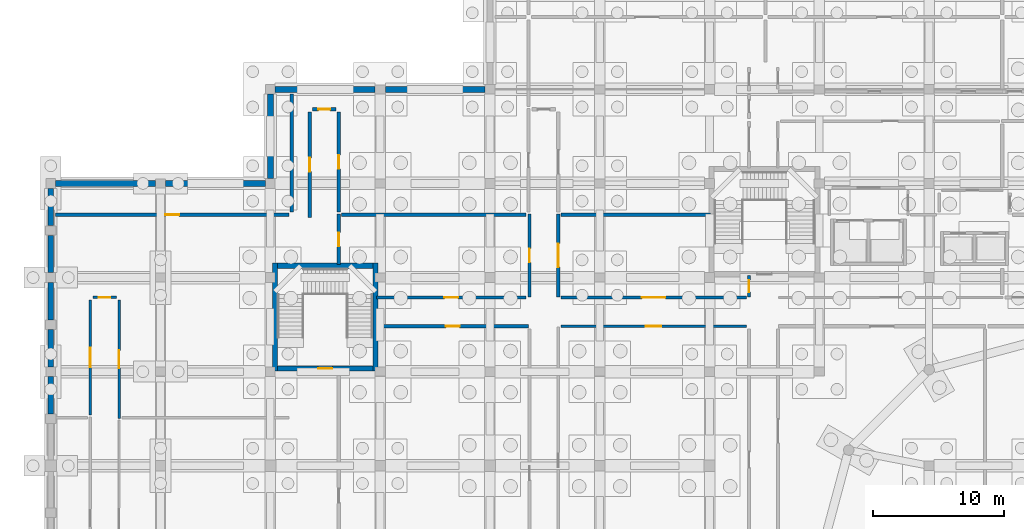
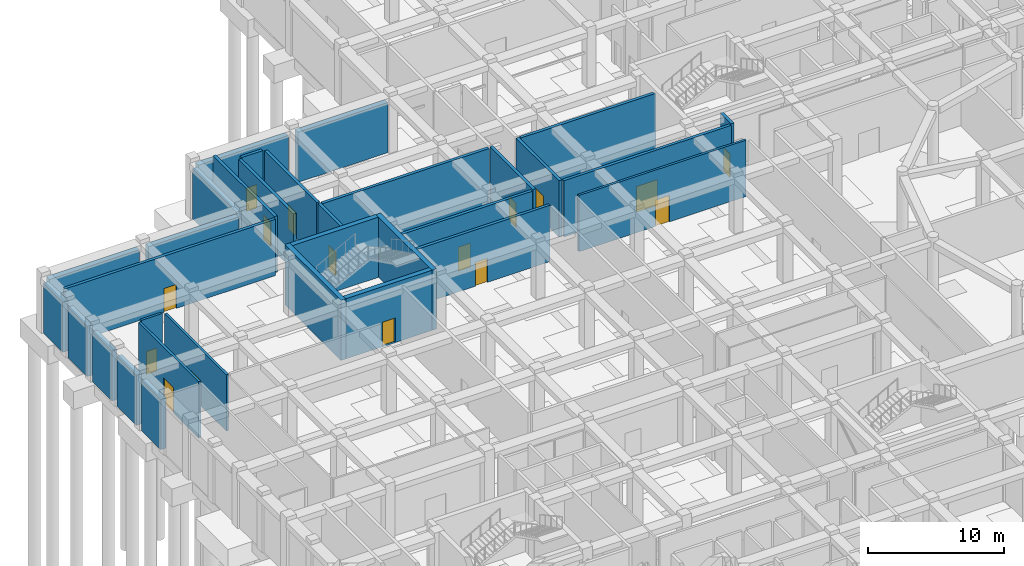
# One storey, part 22 of 32: 32 walls, 16 doors, 16 openings.
"""IFC4 building model written with IfcOpenShell, lengths in metres."""

from ifc_helpers import new_model, si_unit, derived_unit, direction, frame, frame_2d, origin, place, context, subcontext, project, spatial, rectangle, extrude, material, layer, layer_set, type_object, element, fill, save


model = new_model("IFC4")

# Units and contexts
model_context = context("Model", 3, precision=1e-05, world=origin(), true_north=direction((0.0, 1.0)))
body_context = subcontext(model_context, "Body", "Model", "MODEL_VIEW")
ifc_project = project(units=[si_unit("LENGTHUNIT", "METRE"), si_unit("AREAUNIT", "SQUARE_METRE"), si_unit("VOLUMEUNIT", "CUBIC_METRE"), si_unit("PLANEANGLEUNIT", "RADIAN"), si_unit("MASSUNIT", "GRAM", prefix="KILO"), derived_unit("THERMALTRANSMITTANCEUNIT", [(si_unit("POWERUNIT", "WATT"), 1), (si_unit("LENGTHUNIT", "METRE"), -2), (si_unit("THERMODYNAMICTEMPERATUREUNIT", "KELVIN"), -1)])], contexts=[model_context])

# Site, building, storey
site_placement = place(None, origin())
site = spatial("IfcSite", under=ifc_project, at=site_placement, CompositionType="ELEMENT")
building_placement = place(site_placement, origin())
building = spatial("IfcBuilding", under=site, at=building_placement, Name="Veybourne Emporium", CompositionType="ELEMENT")
storey_placement = place(building_placement, frame((0.0, 0.0, -5.39990234375)))
storey = spatial("IfcBuildingStorey", under=building, at=storey_placement, Name="B1", CompositionType="ELEMENT", Elevation=-5.39990234375)

# Walls
ifc_material_1 = material(Name="Concrete C40/50", Category="concrete")
ifc_layer_1 = layer(ifc_material_1, 0.449951171875)
ifc_layer_set_1 = layer_set([ifc_layer_1], Name="Concrete C40/50")
wall_type_1 = type_object("IfcWallType", Name="ExtWall_RW-01", PredefinedType="USERDEFINED", material=ifc_layer_set_1)
for number, where, z_axis, x_axis, name in (
    (1, (0.0, 61.570068359375, 0.0), (0.0, 0.0, 1.0), (0.0, 1.0, 0.0), "Basement perimeter retaining wall 008B"),
    (2, (0.0, 65.175048828125, 0.0), (0.0, 0.0, 1.0), (0.0, 1.0, 0.0), "Basement perimeter retaining wall 009A"),
    (3, (0.0, 68.77001953125, 0.0), (0.0, 0.0, 1.0), (0.0, 1.0, 0.0), "Basement perimeter retaining wall 009B"),
):
    element("IfcWall", number, at=place(storey_placement, frame(where, z_axis=z_axis, x_axis=x_axis)), inside=storey, type_object=wall_type_1, Name=name, ObjectType="RETAININGWALL", PredefinedType="USERDEFINED", context=body_context, shape_type="SweptSolid", body=[
        extrude(rectangle(XDim=2.85498046875, YDim=0.449951171875, at=frame_2d((1.427490234375, 0.0))), origin(), (0.0, 0.0, 1.0), 4.5),
    ])
wall_1_placement = place(storey_placement, frame((0.375, 79.199951171875, 0.0), z_axis=(0.0, 0.0, 1.0), x_axis=(1.0, 0.0, 0.0)))
element("IfcWall", 4, at=wall_1_placement, inside=storey, type_object=wall_type_1, Name="Basement perimeter retaining wall 010", ObjectType="RETAININGWALL", PredefinedType="USERDEFINED", context=body_context, shape_type="SweptSolid", body=[
    extrude(rectangle(XDim=7.625, YDim=0.449951171875, at=frame_2d((3.8125, 0.0))), origin(), (0.0, 0.0, 1.0), 4.5),
])
for number, where, z_axis, x_axis, name in (
    (5, (0.0, 72.375, 0.0), (0.0, 0.0, 1.0), (0.0, 1.0, 0.0), "Basement perimeter retaining wall 011A"),
    (6, (0.0, 75.969970703125, 0.0), (0.0, 0.0, 1.0), (0.0, 1.0, 0.0), "Basement perimeter retaining wall 011B"),
):
    element("IfcWall", number, at=place(storey_placement, frame(where, z_axis=z_axis, x_axis=x_axis)), inside=storey, type_object=wall_type_1, Name=name, ObjectType="RETAININGWALL", PredefinedType="USERDEFINED", context=body_context, shape_type="SweptSolid", body=[
        extrude(rectangle(XDim=2.85498046875, YDim=0.449951171875, at=frame_2d((1.427490234375, 0.0))), origin(), (0.0, 0.0, 1.0), 4.5),
    ])
for number, where, z_axis, x_axis, name in (
    (7, (8.800048828125, 79.199951171875, 0.0), (0.0, 0.0, 1.0), (1.0, 0.0, 0.0), "Basement perimeter retaining wall 013"),
    (8, (17.175048828125, 86.39990234375, 0.0), (0.0, 0.0, 1.0), (1.0, 0.0, 0.0), "Basement perimeter retaining wall 016"),
):
    element("IfcWall", number, at=place(storey_placement, frame(where, z_axis=z_axis, x_axis=x_axis)), inside=storey, type_object=wall_type_1, Name=name, ObjectType="RETAININGWALL", PredefinedType="USERDEFINED", context=body_context, shape_type="SweptSolid", body=[
        extrude(rectangle(XDim=7.625, YDim=0.449951171875, at=frame_2d((3.8125, 0.0))), origin(), (0.0, 0.0, 1.0), 4.5),
    ])
wall_2_placement = place(storey_placement, frame((16.800048828125, 79.574951171875, 0.0), z_axis=(0.0, 0.0, 1.0), x_axis=(0.0, 1.0, 0.0)))
element("IfcWall", 9, at=wall_2_placement, inside=storey, type_object=wall_type_1, Name="Basement perimeter retaining wall 017", ObjectType="RETAININGWALL", PredefinedType="USERDEFINED", context=body_context, shape_type="SweptSolid", body=[
    extrude(rectangle(XDim=6.449951171875, YDim=0.449951171875, at=frame_2d((3.22509765625, 0.0))), origin(), (0.0, 0.0, 1.0), 4.5),
])
wall_3_placement = place(storey_placement, frame((25.60009765625, 86.39990234375, 0.0), z_axis=(0.0, 0.0, 1.0), x_axis=(1.0, 0.0, 0.0)))
element("IfcWall", 10, at=wall_3_placement, inside=storey, type_object=wall_type_1, Name="Basement perimeter retaining wall 019", ObjectType="RETAININGWALL", PredefinedType="USERDEFINED", context=body_context, shape_type="SweptSolid", body=[
    extrude(rectangle(XDim=7.625, YDim=0.449951171875, at=frame_2d((3.8125, 0.0))), origin(), (0.0, 0.0, 1.0), 4.5),
])

# Wall, opening, door
ifc_layer_2 = layer(ifc_material_1, 0.39990234375)
ifc_layer_set_2 = layer_set([ifc_layer_2], Name="Concrete C40/50")
wall_type_2 = type_object("IfcWallType", Name="IntWall_CW-01", PredefinedType="SHEAR", material=ifc_layer_set_2)
wall_4_placement = place(storey_placement, frame((24.64990234375, 65.050048828125, 0.0), z_axis=(0.0, 0.0, 1.0), x_axis=(-1.0, 0.0, 0.0)))
wall_4 = element("IfcWall", 11, at=wall_4_placement, inside=storey, type_object=wall_type_2, Name="Core stair ST-08 south shear wall (B1)", PredefinedType="SHEAR", context=body_context, shape_type="SweptSolid", body=[
    extrude(rectangle(XDim=7.2998046875, YDim=0.39990234375, at=frame_2d((3.64990234375, 0.0))), origin(), (0.0, 0.0, 1.0), 5.39990234375),
])
opening_1_placement = place(wall_4_placement, frame((3.10009765625, 0.0, 0.0)))
opening_1 = element("IfcOpeningElement", 12, at=opening_1_placement, cuts=wall_4, Name="Opening FD-01", PredefinedType="OPENING", context=body_context, shape_type="SweptSolid", body=[
    extrude(rectangle(XDim=1.10009765625, YDim=2.199951171875, at=frame_2d((0.550048828125, 1.10009765625))), frame((0.0, 0.219970703125, 0.0), z_axis=(0.0, -1.0, 0.0), x_axis=(1.0, 0.0, 0.0)), (0.0, 0.0, 1.0), 0.43994140625),
])
ifc_material_2 = material(Name="Patinated Architectural Bronze", Category="bronze")
door_type_1 = type_object("IfcDoorType", Name="FireDoor_FD-01", OperationType="NOTDEFINED", PredefinedType="DOOR", material=ifc_material_2)
door_1_placement = place(opening_1_placement, origin())
door_1 = element("IfcDoor", 13, at=door_1_placement, inside=storey, type_object=door_type_1, Name="Stair ST-08 fire door (B1)", OperationType="SINGLE_SWING_RIGHT", OverallHeight=2.199951171875, OverallWidth=1.10009765625, PredefinedType="DOOR", context=body_context, shape_type="SweptSolid", body=[
    extrude(rectangle(XDim=1.10009765625, YDim=2.199951171875, at=frame_2d((0.550048828125, 1.10009765625))), frame((0.0, 0.02490234375, 0.0), z_axis=(0.0, -1.0, 0.0), x_axis=(1.0, 0.0, 0.0)), (0.0, 0.0, 1.0), 0.050048828125),
])
fill(opening_1, door_1)

# Walls
wall_5_placement = place(storey_placement, frame((17.35009765625, 72.89990234375, 0.0), z_axis=(0.0, 0.0, 1.0), x_axis=(1.0, 0.0, 0.0)))
element("IfcWall", 14, at=wall_5_placement, inside=storey, type_object=wall_type_2, Name="Core stair ST-08 north shear wall (B1)", PredefinedType="SHEAR", context=body_context, shape_type="SweptSolid", body=[
    extrude(rectangle(XDim=7.2998046875, YDim=0.39990234375, at=frame_2d((3.64990234375, 0.0))), origin(), (0.0, 0.0, 1.0), 5.39990234375),
])
for number, where, z_axis, x_axis, name in (
    (15, (17.14990234375, 73.10009765625, 0.0), (0.0, 0.0, 1.0), (0.0, -1.0, 0.0), "Core stair ST-08 west shear wall (B1)"),
    (16, (24.85009765625, 64.85009765625, 0.0), (0.0, 0.0, 1.0), (0.0, 1.0, 0.0), "Core stair ST-08 east shear wall (B1)"),
):
    element("IfcWall", number, at=place(storey_placement, frame(where, z_axis=z_axis, x_axis=x_axis)), inside=storey, type_object=wall_type_2, Name=name, PredefinedType="SHEAR", context=body_context, shape_type="SweptSolid", body=[
        extrude(rectangle(XDim=8.25, YDim=0.39990234375, at=frame_2d((4.125, 0.0))), origin(), (0.0, 0.0, 1.0), 5.39990234375),
    ])

# Wall, opening, door
ifc_material_3 = material(Name="Concrete C32/40", Category="concrete")
ifc_layer_3 = layer(ifc_material_3, 0.25)
ifc_layer_set_3 = layer_set([ifc_layer_3], Name="Concrete C32/40")
wall_type_3 = type_object("IfcWallType", Name="IntWall_FW-01", PredefinedType="SOLIDWALL", material=ifc_layer_set_3)
wall_6_placement = place(storey_placement, frame((39.0400390625, 70.47998046875, 0.0), z_axis=(0.0, 0.0, 1.0), x_axis=(1.0, 0.0, 0.0)))
wall_6 = element("IfcWall", 17, at=wall_6_placement, inside=storey, type_object=wall_type_3, Name="B1 interior partition FW-01 #026", PredefinedType="SOLIDWALL", context=body_context, shape_type="SweptSolid", body=[
    extrude(rectangle(XDim=14.169921875, YDim=0.25, at=frame_2d((7.0849609375, 0.0))), origin(), (0.0, 0.0, 1.0), 5.0498046875),
])
opening_2_placement = place(wall_6_placement, frame((6.18505859375, 0.0, 0.0)))
opening_2 = element("IfcOpeningElement", 18, at=opening_2_placement, cuts=wall_6, Name="Opening FD-03", PredefinedType="OPENING", context=body_context, shape_type="SweptSolid", body=[
    extrude(rectangle(XDim=1.800048828125, YDim=2.300048828125, at=frame_2d((0.89990234375, 1.14990234375))), frame((0.0, 0.14501953125, 0.0), z_axis=(0.0, -1.0, 0.0), x_axis=(1.0, 0.0, 0.0)), (0.0, 0.0, 1.0), 0.2900390625),
])
door_type_2 = type_object("IfcDoorType", Name="FireDoor_FD-03", OperationType="DOUBLE_DOOR_SINGLE_SWING", PredefinedType="DOOR", material=ifc_material_2)
door_2_placement = place(opening_2_placement, origin())
door_2 = element("IfcDoor", 19, at=door_2_placement, inside=storey, type_object=door_type_2, Name="B1 interior door FD-03 (PART-B1-026)", OperationType="DOUBLE_DOOR_SINGLE_SWING", OverallHeight=2.300048828125, OverallWidth=1.800048828125, PredefinedType="DOOR", context=body_context, shape_type="SweptSolid", body=[
    extrude(rectangle(XDim=1.800048828125, YDim=2.300048828125, at=frame_2d((0.89990234375, 1.14990234375))), frame((0.0, 0.02490234375, 0.0), z_axis=(0.0, -1.0, 0.0), x_axis=(1.0, 0.0, 0.0)), (0.0, 0.0, 1.0), 0.050048828125),
])
fill(opening_2, door_2)

wall_7_placement = place(storey_placement, frame((24.93994140625, 68.27001953125, 0.0), z_axis=(0.0, 0.0, 1.0), x_axis=(1.0, 0.0, 0.0)))
wall_7 = element("IfcWall", 20, at=wall_7_placement, inside=storey, type_object=wall_type_3, Name="B1 interior partition FW-01 #037", PredefinedType="SOLIDWALL", context=body_context, shape_type="SweptSolid", body=[
    extrude(rectangle(XDim=11.630126953125, YDim=0.25, at=frame_2d((5.81494140625, 0.0))), origin(), (0.0, 0.0, 1.0), 5.0498046875),
])
opening_3_placement = place(wall_7_placement, frame((5.2900390625, 0.0, 0.0)))
opening_3 = element("IfcOpeningElement", 21, at=opening_3_placement, cuts=wall_7, Name="Opening FD-02", PredefinedType="OPENING", context=body_context, shape_type="SweptSolid", body=[
    extrude(rectangle(XDim=1.050048828125, YDim=2.14990234375, at=frame_2d((0.52490234375, 1.074951171875))), frame((0.0, 0.14501953125, 0.0), z_axis=(0.0, -1.0, 0.0), x_axis=(1.0, 0.0, 0.0)), (0.0, 0.0, 1.0), 0.2900390625),
])
door_type_3 = type_object("IfcDoorType", Name="FireDoor_FD-02", OperationType="NOTDEFINED", PredefinedType="DOOR", material=ifc_material_2)
door_3_placement = place(opening_3_placement, origin())
door_3 = element("IfcDoor", 22, at=door_3_placement, inside=storey, type_object=door_type_3, Name="B1 interior door FD-02 (PART-B1-037)", OperationType="SINGLE_SWING_RIGHT", OverallHeight=2.14990234375, OverallWidth=1.050048828125, PredefinedType="DOOR", context=body_context, shape_type="SweptSolid", body=[
    extrude(rectangle(XDim=1.050048828125, YDim=2.14990234375, at=frame_2d((0.52490234375, 1.074951171875))), frame((0.0, 0.02490234375, 0.0), z_axis=(0.0, -1.0, 0.0), x_axis=(1.0, 0.0, 0.0)), (0.0, 0.0, 1.0), 0.050048828125),
])
fill(opening_3, door_3)

wall_8_placement = place(storey_placement, frame((24.93994140625, 70.47998046875, 0.0), z_axis=(0.0, 0.0, 1.0), x_axis=(1.0, 0.0, 0.0)))
wall_8 = element("IfcWall", 23, at=wall_8_placement, inside=storey, type_object=wall_type_3, Name="B1 interior partition FW-01 #039", PredefinedType="SOLIDWALL", context=body_context, shape_type="SweptSolid", body=[
    extrude(rectangle(XDim=11.41015625, YDim=0.25, at=frame_2d((5.705078125, 0.0))), origin(), (0.0, 0.0, 1.0), 5.0498046875),
])
opening_4_placement = place(wall_8_placement, frame((5.179931640625, 0.0, 0.0)))
opening_4 = element("IfcOpeningElement", 24, at=opening_4_placement, cuts=wall_8, Name="Opening FD-02", PredefinedType="OPENING", context=body_context, shape_type="SweptSolid", body=[
    extrude(rectangle(XDim=1.050048828125, YDim=2.14990234375, at=frame_2d((0.52490234375, 1.074951171875))), frame((0.0, 0.14501953125, 0.0), z_axis=(0.0, -1.0, 0.0), x_axis=(1.0, 0.0, 0.0)), (0.0, 0.0, 1.0), 0.2900390625),
])
door_4_placement = place(opening_4_placement, origin())
door_4 = element("IfcDoor", 25, at=door_4_placement, inside=storey, type_object=door_type_3, Name="B1 interior door FD-02 (PART-B1-039)", OperationType="SINGLE_SWING_RIGHT", OverallHeight=2.14990234375, OverallWidth=1.050048828125, PredefinedType="DOOR", context=body_context, shape_type="SweptSolid", body=[
    extrude(rectangle(XDim=1.050048828125, YDim=2.14990234375, at=frame_2d((0.52490234375, 1.074951171875))), frame((0.0, 0.02490234375, 0.0), z_axis=(0.0, -1.0, 0.0), x_axis=(1.0, 0.0, 0.0)), (0.0, 0.0, 1.0), 0.050048828125),
])
fill(opening_4, door_4)

wall_9_placement = place(storey_placement, frame((19.820068359375, 76.590087890625, 0.0), z_axis=(0.0, 0.0, 1.0), x_axis=(0.0, 1.0, 0.0)))
wall_9 = element("IfcWall", 26, at=wall_9_placement, inside=storey, type_object=wall_type_3, Name="B1 interior partition FW-01 #061", PredefinedType="SOLIDWALL", context=body_context, shape_type="SweptSolid", body=[
    extrude(rectangle(XDim=8.079833984375, YDim=0.25, at=frame_2d((4.0400390625, 0.0))), origin(), (0.0, 0.0, 1.0), 5.0498046875),
])
opening_5_placement = place(wall_9_placement, frame((3.514892578125, 0.0, 0.0)))
opening_5 = element("IfcOpeningElement", 27, at=opening_5_placement, cuts=wall_9, Name="Opening FD-02", PredefinedType="OPENING", context=body_context, shape_type="SweptSolid", body=[
    extrude(rectangle(XDim=1.050048828125, YDim=2.14990234375, at=frame_2d((0.52490234375, 1.074951171875))), frame((0.0, 0.14501953125, 0.0), z_axis=(0.0, -1.0, 0.0), x_axis=(1.0, 0.0, 0.0)), (0.0, 0.0, 1.0), 0.2900390625),
])
door_5_placement = place(opening_5_placement, origin())
door_5 = element("IfcDoor", 28, at=door_5_placement, inside=storey, type_object=door_type_3, Name="B1 interior door FD-02 (PART-B1-061)", OperationType="SINGLE_SWING_LEFT", OverallHeight=2.14990234375, OverallWidth=1.050048828125, PredefinedType="DOOR", context=body_context, shape_type="SweptSolid", body=[
    extrude(rectangle(XDim=1.050048828125, YDim=2.14990234375, at=frame_2d((0.52490234375, 1.074951171875))), frame((0.0, 0.02490234375, 0.0), z_axis=(0.0, -1.0, 0.0), x_axis=(1.0, 0.0, 0.0)), (0.0, 0.0, 1.0), 0.050048828125),
])
fill(opening_5, door_5)

wall_10_placement = place(storey_placement, frame((22.030029296875, 77.010009765625, 0.0), z_axis=(0.0, 0.0, 1.0), x_axis=(0.0, 1.0, 0.0)))
wall_10 = element("IfcWall", 29, at=wall_10_placement, inside=storey, type_object=wall_type_3, Name="B1 interior partition FW-01 #066", PredefinedType="SOLIDWALL", context=body_context, shape_type="SweptSolid", body=[
    extrude(rectangle(XDim=7.659912109375, YDim=0.25, at=frame_2d((3.830078125, 0.0))), origin(), (0.0, 0.0, 1.0), 5.0498046875),
])
opening_6_placement = place(wall_10_placement, frame((3.304931640625, 0.0, 0.0)))
opening_6 = element("IfcOpeningElement", 30, at=opening_6_placement, cuts=wall_10, Name="Opening FD-02", PredefinedType="OPENING", context=body_context, shape_type="SweptSolid", body=[
    extrude(rectangle(XDim=1.050048828125, YDim=2.14990234375, at=frame_2d((0.52490234375, 1.074951171875))), frame((0.0, 0.14501953125, 0.0), z_axis=(0.0, -1.0, 0.0), x_axis=(1.0, 0.0, 0.0)), (0.0, 0.0, 1.0), 0.2900390625),
])
door_6_placement = place(opening_6_placement, origin())
door_6 = element("IfcDoor", 31, at=door_6_placement, inside=storey, type_object=door_type_3, Name="B1 interior door FD-02 (PART-B1-066)", OperationType="SINGLE_SWING_RIGHT", OverallHeight=2.14990234375, OverallWidth=1.050048828125, PredefinedType="DOOR", context=body_context, shape_type="SweptSolid", body=[
    extrude(rectangle(XDim=1.050048828125, YDim=2.14990234375, at=frame_2d((0.52490234375, 1.074951171875))), frame((0.0, 0.02490234375, 0.0), z_axis=(0.0, -1.0, 0.0), x_axis=(1.0, 0.0, 0.0)), (0.0, 0.0, 1.0), 0.050048828125),
])
fill(opening_6, door_6)

wall_11_placement = place(storey_placement, frame((36.6201171875, 70.530029296875, 0.0), z_axis=(0.0, 0.0, 1.0), x_axis=(0.0, 1.0, 0.0)))
wall_11 = element("IfcWall", 32, at=wall_11_placement, inside=storey, type_object=wall_type_3, Name="B1 interior partition FW-01 #070", PredefinedType="SOLIDWALL", context=body_context, shape_type="SweptSolid", body=[
    extrude(rectangle(XDim=6.320068359375, YDim=0.25, at=frame_2d((3.16015625, 0.0))), origin(), (0.0, 0.0, 1.0), 5.0498046875),
])
opening_7_placement = place(wall_11_placement, frame((2.635009765625, 0.0, 0.0)))
opening_7 = element("IfcOpeningElement", 33, at=opening_7_placement, cuts=wall_11, Name="Opening FD-02", PredefinedType="OPENING", context=body_context, shape_type="SweptSolid", body=[
    extrude(rectangle(XDim=1.050048828125, YDim=2.14990234375, at=frame_2d((0.52490234375, 1.074951171875))), frame((0.0, 0.14501953125, 0.0), z_axis=(0.0, -1.0, 0.0), x_axis=(1.0, 0.0, 0.0)), (0.0, 0.0, 1.0), 0.2900390625),
])
door_7_placement = place(opening_7_placement, origin())
door_7 = element("IfcDoor", 34, at=door_7_placement, inside=storey, type_object=door_type_3, Name="B1 interior door FD-02 (PART-B1-070)", OperationType="SINGLE_SWING_LEFT", OverallHeight=2.14990234375, OverallWidth=1.050048828125, PredefinedType="DOOR", context=body_context, shape_type="SweptSolid", body=[
    extrude(rectangle(XDim=1.050048828125, YDim=2.14990234375, at=frame_2d((0.52490234375, 1.074951171875))), frame((0.0, 0.02490234375, 0.0), z_axis=(0.0, -1.0, 0.0), x_axis=(1.0, 0.0, 0.0)), (0.0, 0.0, 1.0), 0.050048828125),
])
fill(opening_7, door_7)

wall_12_placement = place(storey_placement, frame((38.830078125, 70.530029296875, 0.0), z_axis=(0.0, 0.0, 1.0), x_axis=(0.0, 1.0, 0.0)))
wall_12 = element("IfcWall", 35, at=wall_12_placement, inside=storey, type_object=wall_type_3, Name="B1 interior partition FW-01 #071", PredefinedType="SOLIDWALL", context=body_context, shape_type="SweptSolid", body=[
    extrude(rectangle(XDim=6.320068359375, YDim=0.25, at=frame_2d((3.16015625, 0.0))), origin(), (0.0, 0.0, 1.0), 5.0498046875),
])
opening_8_placement = place(wall_12_placement, frame((2.260009765625, 0.0, 0.0)))
opening_8 = element("IfcOpeningElement", 36, at=opening_8_placement, cuts=wall_12, Name="Opening FD-03", PredefinedType="OPENING", context=body_context, shape_type="SweptSolid", body=[
    extrude(rectangle(XDim=1.800048828125, YDim=2.300048828125, at=frame_2d((0.89990234375, 1.14990234375))), frame((0.0, 0.14501953125, 0.0), z_axis=(0.0, -1.0, 0.0), x_axis=(1.0, 0.0, 0.0)), (0.0, 0.0, 1.0), 0.2900390625),
])
door_8_placement = place(opening_8_placement, origin())
door_8 = element("IfcDoor", 37, at=door_8_placement, inside=storey, type_object=door_type_2, Name="B1 interior door FD-03 (PART-B1-071)", OperationType="DOUBLE_DOOR_SINGLE_SWING", OverallHeight=2.300048828125, OverallWidth=1.800048828125, PredefinedType="DOOR", context=body_context, shape_type="SweptSolid", body=[
    extrude(rectangle(XDim=1.800048828125, YDim=2.300048828125, at=frame_2d((0.89990234375, 1.14990234375))), frame((0.0, 0.02490234375, 0.0), z_axis=(0.0, -1.0, 0.0), x_axis=(1.0, 0.0, 0.0)), (0.0, 0.0, 1.0), 0.050048828125),
])
fill(opening_8, door_8)

wall_13_placement = place(storey_placement, frame((22.030029296875, 72.989990234375, 0.0), z_axis=(0.0, 0.0, 1.0), x_axis=(0.0, 1.0, 0.0)))
wall_13 = element("IfcWall", 38, at=wall_13_placement, inside=storey, type_object=wall_type_3, Name="B1 interior partition FW-01 #083", PredefinedType="SOLIDWALL", context=body_context, shape_type="SweptSolid", body=[
    extrude(rectangle(XDim=3.860107421875, YDim=0.25, at=frame_2d((1.93017578125, 0.0))), origin(), (0.0, 0.0, 1.0), 5.0498046875),
])
opening_9_placement = place(wall_13_placement, frame((1.405029296875, 0.0, 0.0)))
opening_9 = element("IfcOpeningElement", 39, at=opening_9_placement, cuts=wall_13, Name="Opening FD-02", PredefinedType="OPENING", context=body_context, shape_type="SweptSolid", body=[
    extrude(rectangle(XDim=1.050048828125, YDim=2.14990234375, at=frame_2d((0.52490234375, 1.074951171875))), frame((0.0, 0.14501953125, 0.0), z_axis=(0.0, -1.0, 0.0), x_axis=(1.0, 0.0, 0.0)), (0.0, 0.0, 1.0), 0.2900390625),
])
door_9_placement = place(opening_9_placement, origin())
door_9 = element("IfcDoor", 40, at=door_9_placement, inside=storey, type_object=door_type_3, Name="B1 interior door FD-02 (PART-B1-083)", OperationType="SINGLE_SWING_LEFT", OverallHeight=2.14990234375, OverallWidth=1.050048828125, PredefinedType="DOOR", context=body_context, shape_type="SweptSolid", body=[
    extrude(rectangle(XDim=1.050048828125, YDim=2.14990234375, at=frame_2d((0.52490234375, 1.074951171875))), frame((0.0, 0.02490234375, 0.0), z_axis=(0.0, -1.0, 0.0), x_axis=(1.0, 0.0, 0.0)), (0.0, 0.0, 1.0), 0.050048828125),
])
fill(opening_9, door_9)

wall_14_placement = place(storey_placement, frame((20.030029296875, 84.8798828125, 0.0), z_axis=(0.0, 0.0, 1.0), x_axis=(1.0, 0.0, 0.0)))
wall_14 = element("IfcWall", 41, at=wall_14_placement, inside=storey, type_object=wall_type_3, Name="B1 interior partition FW-01 #124", PredefinedType="SOLIDWALL", context=body_context, shape_type="SweptSolid", body=[
    extrude(rectangle(XDim=1.7900390625, YDim=0.25, at=frame_2d((0.89501953125, 0.0))), origin(), (0.0, 0.0, 1.0), 5.0498046875),
])
opening_10_placement = place(wall_14_placement, frame((0.445068359375, 0.0, 0.0)))
opening_10 = element("IfcOpeningElement", 42, at=opening_10_placement, cuts=wall_14, Name="Opening FD-04", PredefinedType="OPENING", context=body_context, shape_type="SweptSolid", body=[
    extrude(rectangle(XDim=0.89990234375, YDim=2.10009765625, at=frame_2d((0.449951171875, 1.050048828125))), frame((0.0, 0.14501953125, 0.0), z_axis=(0.0, -1.0, 0.0), x_axis=(1.0, 0.0, 0.0)), (0.0, 0.0, 1.0), 0.2900390625),
])
door_type_4 = type_object("IfcDoorType", Name="FireDoor_FD-04", OperationType="NOTDEFINED", PredefinedType="DOOR", material=ifc_material_2)
door_10_placement = place(opening_10_placement, origin())
door_10 = element("IfcDoor", 43, at=door_10_placement, inside=storey, type_object=door_type_4, Name="B1 interior door FD-04 (PART-B1-124)", OperationType="SINGLE_SWING_RIGHT", OverallHeight=2.10009765625, OverallWidth=0.89990234375, PredefinedType="DOOR", context=body_context, shape_type="SweptSolid", body=[
    extrude(rectangle(XDim=0.89990234375, YDim=2.10009765625, at=frame_2d((0.449951171875, 1.050048828125))), frame((0.0, 0.02490234375, 0.0), z_axis=(0.0, -1.0, 0.0), x_axis=(1.0, 0.0, 0.0)), (0.0, 0.0, 1.0), 0.050048828125),
])
fill(opening_10, door_10)

wall_15_placement = place(storey_placement, frame((53.419921875, 70.530029296875, 0.0), z_axis=(0.0, 0.0, 1.0), x_axis=(0.0, 1.0, 0.0)))
wall_15 = element("IfcWall", 44, at=wall_15_placement, inside=storey, type_object=wall_type_3, Name="B1 interior partition FW-01 #129", PredefinedType="SOLIDWALL", context=body_context, shape_type="SweptSolid", body=[
    extrude(rectangle(XDim=1.6298828125, YDim=0.25, at=frame_2d((0.81494140625, 0.0))), origin(), (0.0, 0.0, 1.0), 5.0498046875),
])
opening_11_placement = place(wall_15_placement, frame((0.364990234375, 0.0, 0.0)))
opening_11 = element("IfcOpeningElement", 45, at=opening_11_placement, cuts=wall_15, Name="Opening FD-04", PredefinedType="OPENING", context=body_context, shape_type="SweptSolid", body=[
    extrude(rectangle(XDim=0.89990234375, YDim=2.10009765625, at=frame_2d((0.449951171875, 1.050048828125))), frame((0.0, 0.14501953125, 0.0), z_axis=(0.0, -1.0, 0.0), x_axis=(1.0, 0.0, 0.0)), (0.0, 0.0, 1.0), 0.2900390625),
])
door_11_placement = place(opening_11_placement, origin())
door_11 = element("IfcDoor", 46, at=door_11_placement, inside=storey, type_object=door_type_4, Name="B1 interior door FD-04 (PART-B1-129)", OperationType="SINGLE_SWING_LEFT", OverallHeight=2.10009765625, OverallWidth=0.89990234375, PredefinedType="DOOR", context=body_context, shape_type="SweptSolid", body=[
    extrude(rectangle(XDim=0.89990234375, YDim=2.10009765625, at=frame_2d((0.449951171875, 1.050048828125))), frame((0.0, 0.02490234375, 0.0), z_axis=(0.0, -1.0, 0.0), x_axis=(1.0, 0.0, 0.0)), (0.0, 0.0, 1.0), 0.050048828125),
])
fill(opening_11, door_11)

wall_16_placement = place(storey_placement, frame((0.3701171875, 76.800048828125, 0.0), z_axis=(0.0, 0.0, 1.0), x_axis=(1.0, 0.0, 0.0)))
wall_16 = element("IfcWall", 47, at=wall_16_placement, inside=storey, type_object=wall_type_3, Name="B1 interior partition FW-01 #135", PredefinedType="SOLIDWALL", context=body_context, shape_type="SweptSolid", body=[
    extrude(rectangle(XDim=17.85986328125, YDim=0.25, at=frame_2d((8.929931640625, 0.0))), origin(), (0.0, 0.0, 1.0), 5.0498046875),
])
opening_12_placement = place(wall_16_placement, frame((8.405029296875, 0.0, 0.0)))
opening_12 = element("IfcOpeningElement", 48, at=opening_12_placement, cuts=wall_16, Name="Opening FD-02", PredefinedType="OPENING", context=body_context, shape_type="SweptSolid", body=[
    extrude(rectangle(XDim=1.050048828125, YDim=2.14990234375, at=frame_2d((0.52490234375, 1.074951171875))), frame((0.0, 0.14501953125, 0.0), z_axis=(0.0, -1.0, 0.0), x_axis=(1.0, 0.0, 0.0)), (0.0, 0.0, 1.0), 0.2900390625),
])
door_12_placement = place(opening_12_placement, origin())
door_12 = element("IfcDoor", 49, at=door_12_placement, inside=storey, type_object=door_type_3, Name="B1 interior door FD-02 (PART-B1-135)", OperationType="SINGLE_SWING_RIGHT", OverallHeight=2.14990234375, OverallWidth=1.050048828125, PredefinedType="DOOR", context=body_context, shape_type="SweptSolid", body=[
    extrude(rectangle(XDim=1.050048828125, YDim=2.14990234375, at=frame_2d((0.52490234375, 1.074951171875))), frame((0.0, 0.02490234375, 0.0), z_axis=(0.0, -1.0, 0.0), x_axis=(1.0, 0.0, 0.0)), (0.0, 0.0, 1.0), 0.050048828125),
])
fill(opening_12, door_12)

# Walls
wall_17_placement = place(storey_placement, frame((22.239990234375, 76.800048828125, 0.0), z_axis=(0.0, 0.0, 1.0), x_axis=(1.0, 0.0, 0.0)))
element("IfcWall", 50, at=wall_17_placement, inside=storey, type_object=wall_type_3, Name="B1 interior partition FW-01 #154", PredefinedType="SOLIDWALL", context=body_context, shape_type="SweptSolid", body=[
    extrude(rectangle(XDim=14.110107421875, YDim=0.25, at=frame_2d((7.05517578125, 0.0))), origin(), (0.0, 0.0, 1.0), 5.0498046875),
])
wall_18_placement = place(storey_placement, frame((39.0400390625, 76.800048828125, 0.0), z_axis=(0.0, 0.0, 1.0), x_axis=(1.0, 0.0, 0.0)))
element("IfcWall", 51, at=wall_18_placement, inside=storey, type_object=wall_type_3, Name="B1 interior partition FW-01 #158", PredefinedType="SOLIDWALL", context=body_context, shape_type="SweptSolid", body=[
    extrude(rectangle(XDim=11.419921875, YDim=0.25, at=frame_2d((5.7099609375, 0.0))), origin(), (0.0, 0.0, 1.0), 5.0498046875),
])
wall_19_placement = place(storey_placement, frame((18.43994140625, 77.010009765625, 0.0), z_axis=(0.0, 0.0, 1.0), x_axis=(0.0, 1.0, 0.0)))
element("IfcWall", 52, at=wall_19_placement, inside=storey, type_object=wall_type_3, Name="B1 interior partition FW-01 #161", PredefinedType="SOLIDWALL", context=body_context, shape_type="SweptSolid", body=[
    extrude(rectangle(XDim=9.02001953125, YDim=0.25, at=frame_2d((4.510009765625, 0.0))), origin(), (0.0, 0.0, 1.0), 5.0498046875),
])

# Wall, opening, door
ifc_material_4 = material(Name="Gypsum Acoustic Board", Category="gypsum")
ifc_layer_4 = layer(ifc_material_4, 0.199951171875)
ifc_layer_set_4 = layer_set([ifc_layer_4], Name="Gypsum Acoustic Board")
wall_type_4 = type_object("IfcWallType", Name="IntWall_IW-04", PredefinedType="PLUMBINGWALL", material=ifc_layer_set_4)
wall_20_placement = place(storey_placement, frame((39.0400390625, 68.27001953125, 0.0), z_axis=(0.0, 0.0, 1.0), x_axis=(1.0, 0.0, 0.0)))
wall_20 = element("IfcWall", 53, at=wall_20_placement, inside=storey, type_object=wall_type_4, Name="B1 interior partition IW-04 #027", PredefinedType="PLUMBINGWALL", context=body_context, shape_type="SweptSolid", body=[
    extrude(rectangle(XDim=14.169921875, YDim=0.199951171875, at=frame_2d((7.0849609375, 0.0))), origin(), (0.0, 0.0, 1.0), 5.0498046875),
])
opening_13_placement = place(wall_20_placement, frame((6.485107421875, 0.0, 0.0)))
opening_13 = element("IfcOpeningElement", 54, at=opening_13_placement, cuts=wall_20, Name="Opening D-27", PredefinedType="OPENING", context=body_context, shape_type="SweptSolid", body=[
    extrude(rectangle(XDim=1.199951171875, YDim=2.3701171875, at=frame_2d((0.60009765625, 1.18505859375))), frame((0.0, 0.1201171875, 0.0), z_axis=(0.0, -1.0, 0.0), x_axis=(1.0, 0.0, 0.0)), (0.0, 0.0, 1.0), 0.239990234375),
])
ifc_material_5 = material(Name="European Oak Veneer and Bronze", Category="wood")
door_type_5 = type_object("IfcDoorType", Name="IntDoor_D-27", OperationType="NOTDEFINED", PredefinedType="DOOR", material=ifc_material_5)
door_13_placement = place(opening_13_placement, origin())
door_13 = element("IfcDoor", 55, at=door_13_placement, inside=storey, type_object=door_type_5, Name="B1 interior door D-27 (PART-B1-027)", OperationType="SINGLE_SWING_LEFT", OverallHeight=2.3701171875, OverallWidth=1.199951171875, PredefinedType="DOOR", context=body_context, shape_type="SweptSolid", body=[
    extrude(rectangle(XDim=1.199951171875, YDim=2.3701171875, at=frame_2d((0.60009765625, 1.18505859375))), frame((0.0, 0.02490234375, 0.0), z_axis=(0.0, -1.0, 0.0), x_axis=(1.0, 0.0, 0.0)), (0.0, 0.0, 1.0), 0.050048828125),
])
fill(opening_13, door_13)

wall_21_placement = place(storey_placement, frame((5.22998046875, 61.22998046875, 0.0), z_axis=(0.0, 0.0, 1.0), x_axis=(0.0, 1.0, 0.0)))
wall_21 = element("IfcWall", 56, at=wall_21_placement, inside=storey, type_object=wall_type_4, Name="B1 interior partition IW-04 #058", PredefinedType="PLUMBINGWALL", context=body_context, shape_type="SweptSolid", body=[
    extrude(rectangle(XDim=9.0400390625, YDim=0.199951171875, at=frame_2d((4.52001953125, 0.0))), origin(), (0.0, 0.0, 1.0), 5.0498046875),
])
opening_14_placement = place(wall_21_placement, frame((3.840087890625, 0.0, 0.0)))
opening_14 = element("IfcOpeningElement", 57, at=opening_14_placement, cuts=wall_21, Name="Opening D-22", PredefinedType="OPENING", context=body_context, shape_type="SweptSolid", body=[
    extrude(rectangle(XDim=1.360107421875, YDim=2.2900390625, at=frame_2d((0.68017578125, 1.14501953125))), frame((0.0, 0.1201171875, 0.0), z_axis=(0.0, -1.0, 0.0), x_axis=(1.0, 0.0, 0.0)), (0.0, 0.0, 1.0), 0.239990234375),
])
door_type_6 = type_object("IfcDoorType", Name="IntDoor_D-22", OperationType="NOTDEFINED", PredefinedType="DOOR", material=ifc_material_5)
door_14_placement = place(opening_14_placement, origin())
door_14 = element("IfcDoor", 58, at=door_14_placement, inside=storey, type_object=door_type_6, Name="B1 interior door D-22 (PART-B1-058)", OperationType="SINGLE_SWING_LEFT", OverallHeight=2.2900390625, OverallWidth=1.360107421875, PredefinedType="DOOR", context=body_context, shape_type="SweptSolid", body=[
    extrude(rectangle(XDim=1.360107421875, YDim=2.2900390625, at=frame_2d((0.68017578125, 1.14501953125))), frame((0.0, 0.02490234375, 0.0), z_axis=(0.0, -1.0, 0.0), x_axis=(1.0, 0.0, 0.0)), (0.0, 0.0, 1.0), 0.050048828125),
])
fill(opening_14, door_14)

wall_22_placement = place(storey_placement, frame((3.02001953125, 61.489990234375, 0.0), z_axis=(0.0, 0.0, 1.0), x_axis=(0.0, 1.0, 0.0)))
wall_22 = element("IfcWall", 59, at=wall_22_placement, inside=storey, type_object=wall_type_4, Name="B1 interior partition IW-04 #059", PredefinedType="PLUMBINGWALL", context=body_context, shape_type="SweptSolid", body=[
    extrude(rectangle(XDim=8.780029296875, YDim=0.199951171875, at=frame_2d((4.39013671875, 0.0))), origin(), (0.0, 0.0, 1.0), 5.0498046875),
])
opening_15_placement = place(wall_22_placement, frame((3.6298828125, 0.0, 0.0)))
opening_15 = element("IfcOpeningElement", 60, at=opening_15_placement, cuts=wall_22, Name="Opening D-23", PredefinedType="OPENING", context=body_context, shape_type="SweptSolid", body=[
    extrude(rectangle(XDim=1.52001953125, YDim=2.2900390625, at=frame_2d((0.760009765625, 1.14501953125))), frame((0.0, 0.1201171875, 0.0), z_axis=(0.0, -1.0, 0.0), x_axis=(1.0, 0.0, 0.0)), (0.0, 0.0, 1.0), 0.239990234375),
])
door_type_7 = type_object("IfcDoorType", Name="IntDoor_D-23", OperationType="NOTDEFINED", PredefinedType="DOOR", material=ifc_material_5)
door_15_placement = place(opening_15_placement, origin())
door_15 = element("IfcDoor", 61, at=door_15_placement, inside=storey, type_object=door_type_7, Name="B1 interior door D-23 (PART-B1-059)", OperationType="SINGLE_SWING_RIGHT", OverallHeight=2.2900390625, OverallWidth=1.52001953125, PredefinedType="DOOR", context=body_context, shape_type="SweptSolid", body=[
    extrude(rectangle(XDim=1.52001953125, YDim=2.2900390625, at=frame_2d((0.760009765625, 1.14501953125))), frame((0.0, 0.02490234375, 0.0), z_axis=(0.0, -1.0, 0.0), x_axis=(1.0, 0.0, 0.0)), (0.0, 0.0, 1.0), 0.050048828125),
])
fill(opening_15, door_15)

wall_23_placement = place(storey_placement, frame((3.22998046875, 70.47998046875, 0.0), z_axis=(0.0, 0.0, 1.0), x_axis=(1.0, 0.0, 0.0)))
wall_23 = element("IfcWall", 62, at=wall_23_placement, inside=storey, type_object=wall_type_4, Name="B1 interior partition IW-04 #125", PredefinedType="PLUMBINGWALL", context=body_context, shape_type="SweptSolid", body=[
    extrude(rectangle(XDim=1.7900390625, YDim=0.199951171875, at=frame_2d((0.89501953125, 0.0))), origin(), (0.0, 0.0, 1.0), 5.0498046875),
])
opening_16_placement = place(wall_23_placement, frame((0.455078125, 0.0, 0.0)))
opening_16 = element("IfcOpeningElement", 63, at=opening_16_placement, cuts=wall_23, Name="Opening D-01", PredefinedType="OPENING", context=body_context, shape_type="SweptSolid", body=[
    extrude(rectangle(XDim=0.8798828125, YDim=2.050048828125, at=frame_2d((0.43994140625, 1.02490234375))), frame((0.0, 0.1201171875, 0.0), z_axis=(0.0, -1.0, 0.0), x_axis=(1.0, 0.0, 0.0)), (0.0, 0.0, 1.0), 0.239990234375),
])
door_type_8 = type_object("IfcDoorType", Name="IntDoor_D-01", OperationType="NOTDEFINED", PredefinedType="DOOR", material=ifc_material_5)
door_16_placement = place(opening_16_placement, origin())
door_16 = element("IfcDoor", 64, at=door_16_placement, inside=storey, type_object=door_type_8, Name="B1 interior door D-01 (PART-B1-125)", OperationType="SINGLE_SWING_LEFT", OverallHeight=2.050048828125, OverallWidth=0.8798828125, PredefinedType="DOOR", context=body_context, shape_type="SweptSolid", body=[
    extrude(rectangle(XDim=0.8798828125, YDim=2.050048828125, at=frame_2d((0.43994140625, 1.02490234375))), frame((0.0, 0.02490234375, 0.0), z_axis=(0.0, -1.0, 0.0), x_axis=(1.0, 0.0, 0.0)), (0.0, 0.0, 1.0), 0.050048828125),
])
fill(opening_16, door_16)

save(model, "model.ifc")
